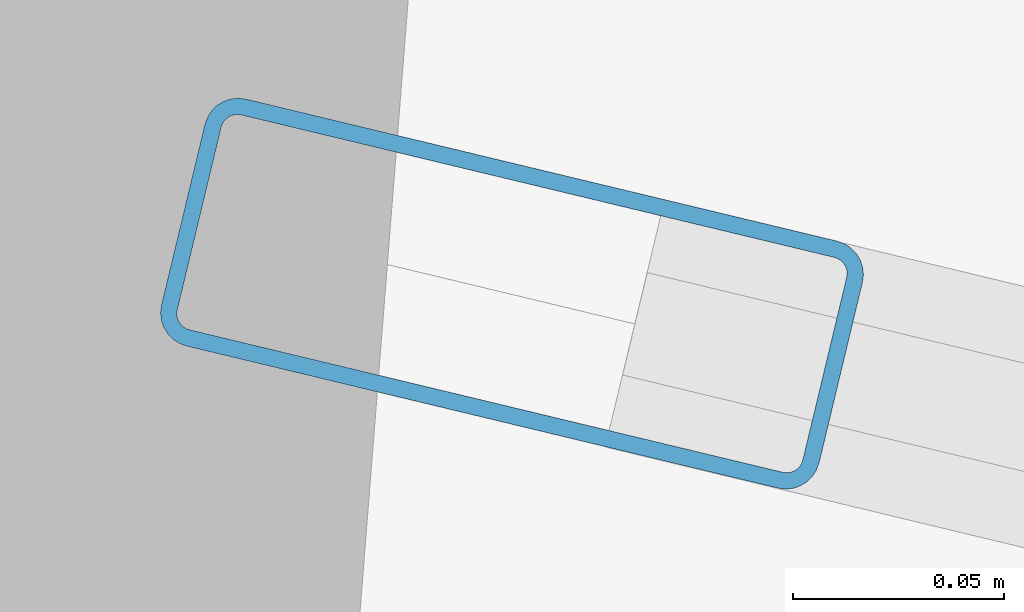
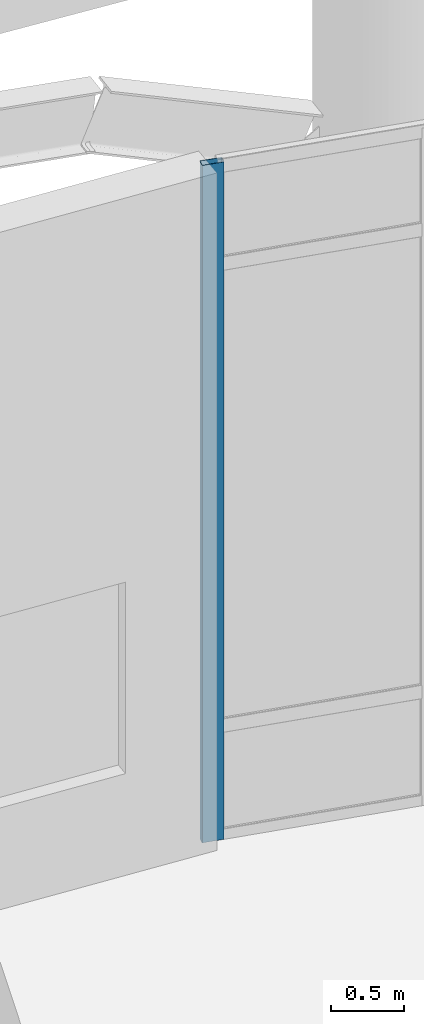
# One storey, part 25 of 82: 1 member, 1 element without a shape of its own.
"""IFC4 building model written with IfcOpenShell, lengths in metres."""

import ifcopenshell
import ifcopenshell.guid

model = None  # the IFC model being written
_history = None  # IfcOwnerHistory: only IFC2X3 demands one
_inside = {}  # id of a spatial element -> (the spatial element, [elements in it])
_under = {}  # id of a project, library or spatial element -> (it, [spatial elements below it])
_declared = {}  # id of a project -> (the project, [libraries it declares])
_typed = {}  # id of a type object -> (the type object, [elements of that type])
_made_of = {}  # id of a material, layer set ... -> (it, [elements and type objects made of it])


def new_model(schema):
    """Start an empty IFC model of exactly this schema.

    Asked for "IFC4X3", IfcOpenShell would pick the latest addendum, in which some entities
    have other attributes; the version numbers below select the first issue.
    IFC2X3 requires an IfcOwnerHistory on every rooted entity: one is made here for all.
    """
    global model, _history
    if schema == "IFC4X3":
        model = ifcopenshell.file(schema_version=(4, 3, 0, 0))
    else:
        model = ifcopenshell.file(schema=schema)
    _inside.clear()
    _under.clear()
    _declared.clear()
    _typed.clear()
    _made_of.clear()
    _history = None
    if model.schema == "IFC2X3":
        org = make("IfcOrganization", Name="unknown")
        user = make(
            "IfcPersonAndOrganization",
            ThePerson=make("IfcPerson", FamilyName="unknown"),
            TheOrganization=org,
        )
        app = make(
            "IfcApplication",
            ApplicationDeveloper=org,
            Version="unknown",
            ApplicationFullName="unknown",
            ApplicationIdentifier="unknown",
        )
        _history = make(
            "IfcOwnerHistory",
            OwningUser=user,
            OwningApplication=app,
            ChangeAction="ADDED",
            CreationDate=0,
        )
    return model


def make(cls, **values):
    """One entity of the class cls with the attributes given. An attribute that is None is left unset."""
    return model.create_entity(
        cls, **{name: value for name, value in values.items() if value is not None}
    )


def rooted(cls, **values):
    """An entity with a GlobalId (a new one), such as an element, a storey or a relation."""
    return make(cls, GlobalId=ifcopenshell.guid.new(), OwnerHistory=_history, **values)


def si_unit(unit_type, name, prefix=None):
    """IfcSIUnit, for example si_unit("LENGTHUNIT", "METRE", prefix="MILLI")."""
    return make("IfcSIUnit", UnitType=unit_type, Prefix=prefix, Name=name)


def derived_unit(unit_type, elements):
    """IfcDerivedUnit: a product of units, each with its exponent."""
    return make(
        "IfcDerivedUnit",
        Elements=[
            make("IfcDerivedUnitElement", Unit=unit, Exponent=power)
            for unit, power in elements
        ],
        UnitType=unit_type,
    )


def assignment(units):
    """IfcUnitAssignment: the units of a project."""
    return None if units is None else make("IfcUnitAssignment", Units=units)


def point(xyz):
    """IfcCartesianPoint."""
    return None if xyz is None else make("IfcCartesianPoint", Coordinates=xyz)


def direction(xyz):
    """IfcDirection."""
    return None if xyz is None else make("IfcDirection", DirectionRatios=xyz)


def frame(location, z_axis=None, x_axis=None):
    """IfcAxis2Placement3D, a coordinate frame: its origin and axes. An axis left out is left unset."""
    return make(
        "IfcAxis2Placement3D",
        Location=point(location),
        Axis=direction(z_axis),
        RefDirection=direction(x_axis),
    )


def frame_2d(location, x_axis=None):
    """IfcAxis2Placement2D, a coordinate frame in the plane: its origin and x axis."""
    return make(
        "IfcAxis2Placement2D", Location=point(location), RefDirection=direction(x_axis)
    )


def origin():
    """The frame at (0, 0, 0) with its axes left unset."""
    return frame((0.0, 0.0, 0.0))


def origin_2d():
    """The frame at (0, 0) in the plane with its x axis left unset."""
    return frame_2d((0.0, 0.0))


def place(relative_to, where):
    """IfcLocalPlacement: puts the frame where relative to a parent placement (None: the world)."""
    return make(
        "IfcLocalPlacement", PlacementRelTo=relative_to, RelativePlacement=where
    )


def context(
    kind, dimensions, precision=None, world=None, true_north=None, identifier=None
):
    """IfcGeometricRepresentationContext, for example the 3D "Model" context."""
    return make(
        "IfcGeometricRepresentationContext",
        ContextIdentifier=identifier,
        ContextType=kind,
        CoordinateSpaceDimension=dimensions,
        Precision=precision,
        WorldCoordinateSystem=world,
        TrueNorth=true_north,
    )


def subcontext(parent, identifier, kind, view, scale=None):
    """IfcGeometricRepresentationSubContext, for example "Body" below "Model"."""
    return make(
        "IfcGeometricRepresentationSubContext",
        ContextIdentifier=identifier,
        ContextType=kind,
        ParentContext=parent,
        TargetScale=scale,
        TargetView=view,
    )


def project(units=None, contexts=None):
    """IfcProject with its units and contexts."""
    return rooted(
        "IfcProject",
        Name="project",
        RepresentationContexts=contexts,
        UnitsInContext=assignment(units),
    )


def spatial(cls, under=None, at=None, **own):
    """A site, building, storey or space (cls), placed at a placement, below another one or the project."""
    s = rooted(cls, ObjectPlacement=at, **own)
    if under is not None:
        _under.setdefault(under.id(), (under, []))[1].append(s)
    return s


def profile(cls, at=None, kind="AREA", **sizes):
    """A parametric profile (cls). Its sizes go by their IFC names, for example OverallWidth=200.0."""
    return make(cls, ProfileType=kind, Position=at, **sizes)


def hollow_rectangle(**sizes):
    """IfcRectangleHollowProfileDef."""
    return profile("IfcRectangleHollowProfileDef", **sizes)


def extrude(swept, where, along, depth):
    """IfcExtrudedAreaSolid: the profile swept, set in the frame where, extruded along a direction by depth."""
    return make(
        "IfcExtrudedAreaSolid",
        SweptArea=swept,
        Position=where,
        ExtrudedDirection=direction(along),
        Depth=depth,
    )


def shape(context_of_items, identifier, shape_type, items):
    """IfcShapeRepresentation: the items that make up one representation, for example the "Body"."""
    return make(
        "IfcShapeRepresentation",
        ContextOfItems=context_of_items,
        RepresentationIdentifier=identifier,
        RepresentationType=shape_type,
        Items=items,
    )


def material(Name=None, Category=None):
    """IfcMaterial."""
    return make("IfcMaterial", Name=Name, Category=Category)


def layer(
    of_material, thickness, ventilated=None, Name=None, Category=None, Priority=None
):
    """IfcMaterialLayer: one layer of a wall or slab, of a material (None: an air gap)."""
    return make(
        "IfcMaterialLayer",
        Material=of_material,
        LayerThickness=thickness,
        IsVentilated=ventilated,
        Name=Name,
        Category=Category,
        Priority=Priority,
    )


def layer_set(layers, Name=None):
    """IfcMaterialLayerSet."""
    return make("IfcMaterialLayerSet", MaterialLayers=layers, LayerSetName=Name)


def material_profile(
    of_material, cross_section, Name=None, Category=None, Priority=None
):
    """IfcMaterialProfile: a cross section and its material."""
    return make(
        "IfcMaterialProfile",
        Name=Name,
        Material=of_material,
        Profile=cross_section,
        Priority=Priority,
        Category=Category,
    )


def profile_set(profiles, Name=None, composite=None):
    """IfcMaterialProfileSet."""
    return make(
        "IfcMaterialProfileSet",
        Name=Name,
        MaterialProfiles=profiles,
        CompositeProfile=composite,
    )


def made_of(thing, what):
    """Note that an element or type object is made of a material, layer set ...; save() writes the relation."""
    if what is not None:
        _made_of.setdefault(what.id(), (what, []))[1].append(thing)
    return thing


def type_object(cls, material=None, **own):
    """A type object (cls), such as IfcWallType, which elements share."""
    return made_of(rooted(cls, **own), material)


def element(
    cls,
    number,
    at=None,
    inside=None,
    cuts=None,
    type_object=None,
    material=None,
    context=None,
    identifier="Body",
    shape_type=None,
    held_by="IfcProductDefinitionShape",
    body=None,
    shapes=None,
    **own,
):
    """One element of the class cls, such as IfcWall. Its Tag is "e" and its number.

    at: its placement. inside: the storey or other place that contains it. cuts: it is an
    opening in that element (IfcRelVoidsElement). A single representation is given by context,
    identifier, shape_type and body (its items); several are given by shapes. held_by: the class
    of the entity that holds the representations. save() writes the other relations.
    """
    e = rooted(cls, Tag="e%d" % number, ObjectPlacement=at, **own)
    if body is not None:
        shapes = [shape(context, identifier, shape_type, body)]
    if shapes is not None:
        e.Representation = make(held_by, Representations=shapes)
    if inside is not None:
        _inside.setdefault(inside.id(), (inside, []))[1].append(e)
    if cuts is not None:
        rooted(
            "IfcRelVoidsElement", RelatingBuildingElement=cuts, RelatedOpeningElement=e
        )
    if type_object is not None:
        _typed.setdefault(type_object.id(), (type_object, []))[1].append(e)
    return made_of(e, material)


def aggregate(whole, parts):
    """IfcRelAggregates: a whole, such as a stair, and the parts it consists of."""
    return rooted("IfcRelAggregates", RelatingObject=whole, RelatedObjects=parts)


def save(model, path):
    """Write the relations noted so far, then the file.

    IfcRelAggregates (storeys below a building ...), IfcRelContainedInSpatialStructure (elements
    in a storey), IfcRelDefinesByType, IfcRelAssociatesMaterial and IfcRelDeclares: one each for
    every whole, place, type object, material and project.
    """
    for whole, parts in _under.values():
        aggregate(whole, parts)
    for where, things in _inside.values():
        rooted(
            "IfcRelContainedInSpatialStructure",
            RelatedElements=things,
            RelatingStructure=where,
        )
    for kind, things in _typed.values():
        rooted("IfcRelDefinesByType", RelatedObjects=things, RelatingType=kind)
    for what, things in _made_of.values():
        rooted("IfcRelAssociatesMaterial", RelatedObjects=things, RelatingMaterial=what)
    for by, libraries in _declared.values():
        rooted("IfcRelDeclares", RelatingContext=by, RelatedDefinitions=libraries)
    model.write(path)


model = new_model("IFC4")

# Units and contexts
model_context = context("Model", 3, precision=1e-05, world=origin(), true_north=direction((0.0, 1.0)))
body_context = subcontext(model_context, "Body", "Model", "MODEL_VIEW")
ifc_project = project(units=[si_unit("LENGTHUNIT", "METRE"), si_unit("AREAUNIT", "SQUARE_METRE"), si_unit("VOLUMEUNIT", "CUBIC_METRE"), si_unit("PLANEANGLEUNIT", "RADIAN"), si_unit("MASSUNIT", "GRAM", prefix="KILO"), derived_unit("THERMALTRANSMITTANCEUNIT", [(si_unit("MASSUNIT", "GRAM", prefix="KILO"), 1), (si_unit("TIMEUNIT", "SECOND"), -3), (si_unit("THERMODYNAMICTEMPERATUREUNIT", "KELVIN"), -1)])], contexts=[model_context])

# Site, building, storey
site_placement = place(None, origin())
site = spatial("IfcSite", under=ifc_project, at=site_placement, CompositionType="ELEMENT")
building_placement = place(site_placement, origin())
building = spatial("IfcBuilding", under=site, at=building_placement, Name="Qinzheling Arcade Emporium", CompositionType="ELEMENT")
storey_placement = place(building_placement, origin())
storey = spatial("IfcBuildingStorey", under=building, at=storey_placement, Name="L01", CompositionType="ELEMENT", Elevation=0.0)

# Curtain wall, member
ifc_material_1 = material(Name="Anodised aluminium and solar-control double glazing", Category="aluminium")
ifc_layer = layer(ifc_material_1, 0.159912109375, Name="Anodised aluminium and solar-control double glazing", Category="aluminium")
ifc_layer_set = layer_set([ifc_layer], Name="Anodised aluminium and solar-control double glazing")
curtain_wall_type = type_object("IfcCurtainWallType", Name="Curved Ribbon Sales Curtain Wall", PredefinedType="NOTDEFINED", material=ifc_layer_set)
curtain_wall_placement = place(storey_placement, origin())
curtain_wall = element("IfcCurtainWall", 1, at=curtain_wall_placement, inside=storey, type_object=curtain_wall_type, Name="Curtain Wall CW-L01-035", PredefinedType="NOTDEFINED")
ifc_material_2 = material(Name="Anodised aluminium 6063-T6", Category="aluminium")
ifc_material_profile = material_profile(ifc_material_2, hollow_rectangle(XDim=0.06005859375, YDim=0.159912109375, WallThickness=0.00390625, InnerFilletRadius=0.00390625, OuterFilletRadius=0.008056640625, at=origin_2d()), Name="RHS 160x60x4", Category="aluminium")
ifc_profile_set = profile_set([ifc_material_profile], Name="Anodised aluminium 6063-T6")
member_type = type_object("IfcMemberType", Name="Curtain Wall Mullion RHS160x60", PredefinedType="MULLION", material=ifc_profile_set)
member_placement = place(storey_placement, frame((127.605224609375, 111.14306640625, 0.0), z_axis=(0.0, 0.0, 1.0), x_axis=(0.233586687032, 0.972335980843, 0.0)))
member = element("IfcMember", 2, at=member_placement, type_object=member_type, Name="CW02 mullion 1", PredefinedType="MULLION", context=body_context, shape_type="SweptSolid", body=[
    extrude(hollow_rectangle(XDim=0.06005859375, YDim=0.159912109375, WallThickness=0.00390625, InnerFilletRadius=0.00390625, OuterFilletRadius=0.008056640625, at=origin_2d()), origin(), (0.0, 0.0, 1.0), 5.659912109375),
])
aggregate(curtain_wall, [member])

save(model, "model.ifc")
